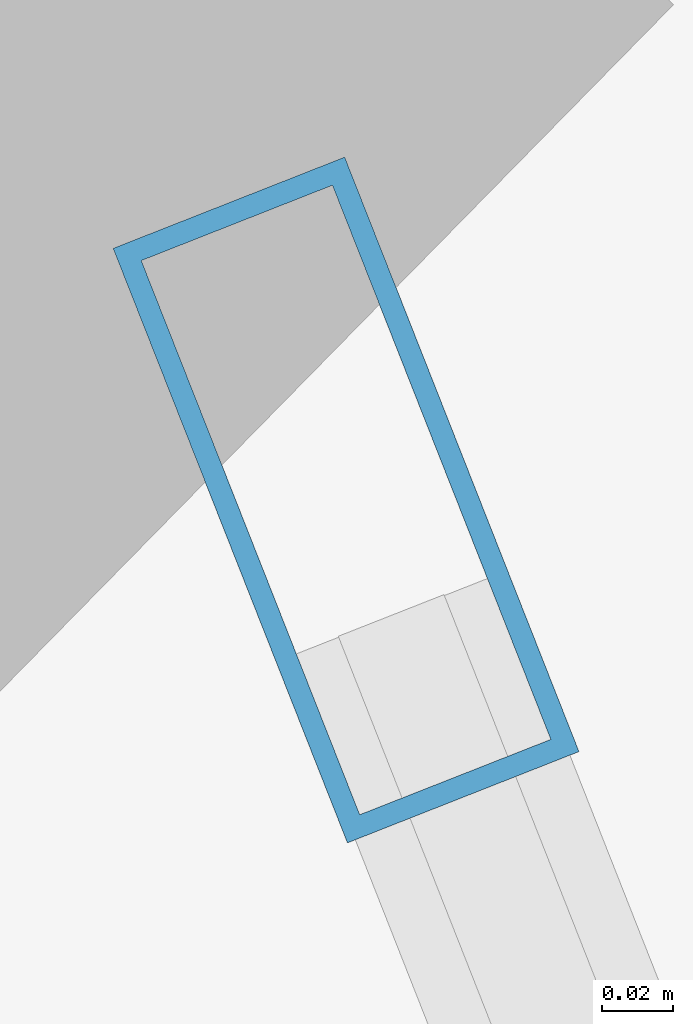
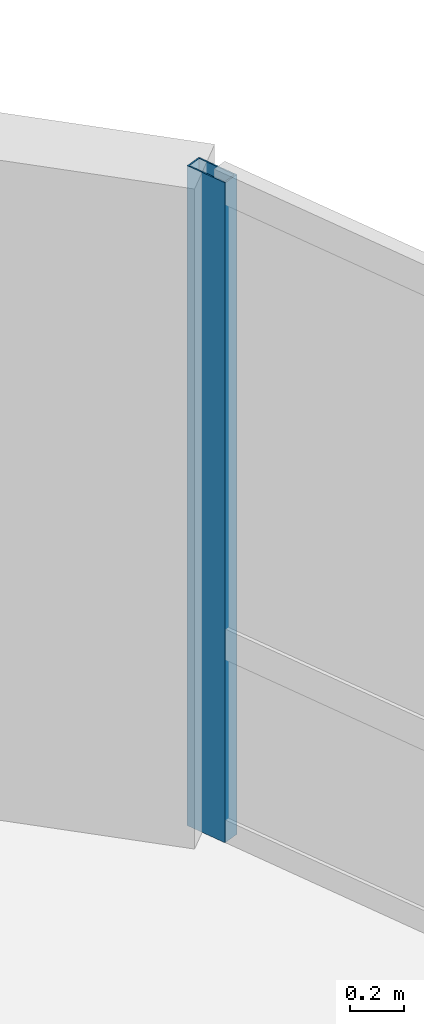
# One storey, part 10 of 17: 1 member, 1 element without a shape of its own.
"""IFC4 building model written with IfcOpenShell, lengths in metres."""

from ifc_helpers import new_model, si_unit, direction, frame, origin, origin_2d, place, context, subcontext, project, spatial, hollow_rectangle, extrude, material, layer, layer_set, material_profile, profile_set, type_object, element, aggregate, save


model = new_model("IFC4")

# Units and contexts
model_context = context("Model", 3, precision=1e-05, world=origin(), true_north=direction((0.0, 1.0)))
body_context = subcontext(model_context, "Body", "Model", "MODEL_VIEW")
ifc_project = project(units=[si_unit("LENGTHUNIT", "METRE"), si_unit("AREAUNIT", "SQUARE_METRE"), si_unit("VOLUMEUNIT", "CUBIC_METRE"), si_unit("PLANEANGLEUNIT", "RADIAN"), si_unit("MASSUNIT", "GRAM", prefix="KILO"), si_unit("THERMODYNAMICTEMPERATUREUNIT", "KELVIN"), si_unit("POWERUNIT", "WATT")], contexts=[model_context])

# Site, building, storey
site_placement = place(None, origin())
site = spatial("IfcSite", under=ifc_project, at=site_placement, CompositionType="ELEMENT")
building_placement = place(site_placement, origin())
building = spatial("IfcBuilding", under=site, at=building_placement, Name="Ocrelia Relay Tower", CompositionType="ELEMENT")
storey_placement = place(building_placement, frame((0.0, 0.0, 67.800048828125)))
storey = spatial("IfcBuildingStorey", under=building, at=storey_placement, Name="L15", CompositionType="ELEMENT", Elevation=67.800048828125)

# Curtain wall, member
ifc_material_1 = material(Name="Aluminium and solar-control low-E glass", Category="aluminium")
ifc_layer = layer(ifc_material_1, 0.179931640625, Name="Aluminium and solar-control low-E glass")
ifc_layer_set = layer_set([ifc_layer], Name="Aluminium and solar-control low-E glass")
curtain_wall_type = type_object("IfcCurtainWallType", Name="CW-SYS-Z1-DATA", PredefinedType="NOTDEFINED", material=ifc_layer_set)
curtain_wall_placement = place(storey_placement, origin())
curtain_wall = element("IfcCurtainWall", 1, at=curtain_wall_placement, inside=storey, type_object=curtain_wall_type, Name="L15 Elliptical Tower Curtain Wall Bay 01", PredefinedType="NOTDEFINED")
ifc_material_2 = material(Name="Anodised bronze aluminium", Category="aluminium")
ifc_material_profile = material_profile(ifc_material_2, hollow_rectangle(XDim=0.070068359375, YDim=0.179931640625, WallThickness=0.006103515625, at=origin_2d()), Name="CW-MUL-180x70")
ifc_profile_set = profile_set([ifc_material_profile], Name="Anodised bronze aluminium")
member_type = type_object("IfcMemberType", Name="CW-SYS-Z1-DATA-MUL", PredefinedType="MULLION", material=ifc_profile_set)
member_placement = place(storey_placement, frame((58.762939453125, 37.055419921875, 0.0), z_axis=(0.0, 0.0, 1.0), x_axis=(-0.930352257537, -0.366666983645, 0.0)))
member = element("IfcMember", 2, at=member_placement, type_object=member_type, Name="CW-Z1 mullion 3", PredefinedType="MULLION", context=body_context, shape_type="SweptSolid", body=[
    extrude(hollow_rectangle(XDim=0.070068359375, YDim=0.179931640625, WallThickness=0.006103515625, at=origin_2d()), origin(), (0.0, 0.0, 1.0), 3.0),
])
aggregate(curtain_wall, [member])

save(model, "model.ifc")
